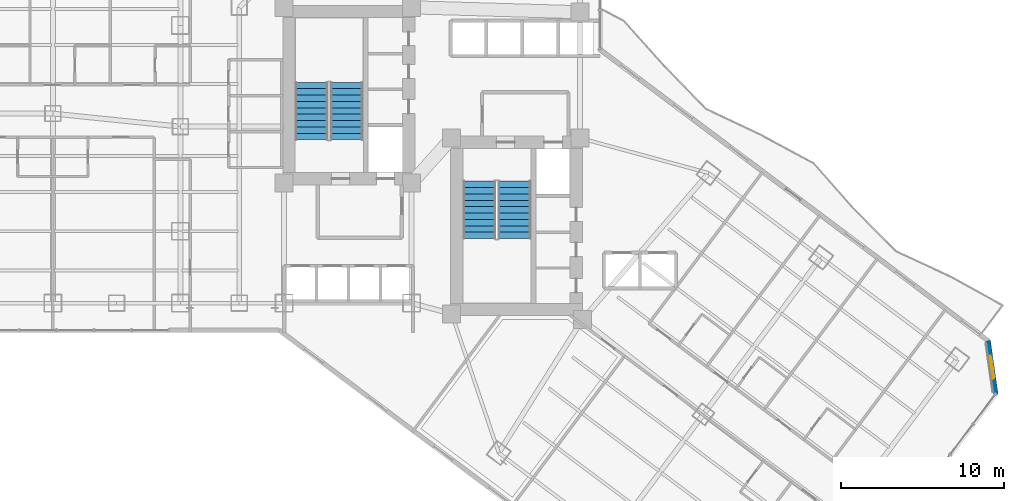
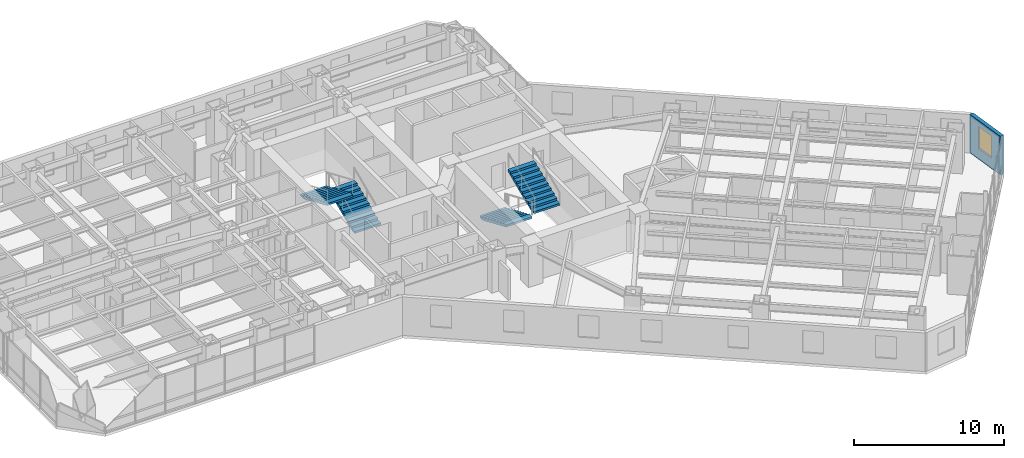
# One storey, part 28 of 38: 4 stair flights, 1 wall, 1 window, 1 opening, 2 elements without a shape of their own.
"""IFC4 building model written with IfcOpenShell, lengths in metres."""

from ifc_helpers import new_model, si_unit, direction, frame, frame_2d, origin, place, context, subcontext, project, spatial, polyline, rectangle, outline, extrude, material, layer, layer_set, type_object, element, fill, aggregate, save


model = new_model("IFC4")

# Units and contexts
model_context = context("Model", 3, precision=1e-05, world=origin(), true_north=direction((0.0, 1.0)))
body_context = subcontext(model_context, "Body", "Model", "MODEL_VIEW")
ifc_project = project(units=[si_unit("LENGTHUNIT", "METRE"), si_unit("AREAUNIT", "SQUARE_METRE"), si_unit("VOLUMEUNIT", "CUBIC_METRE"), si_unit("PLANEANGLEUNIT", "RADIAN"), si_unit("MASSUNIT", "GRAM", prefix="KILO")], contexts=[model_context])

# Site, building, storey
site_placement = place(None, origin())
site = spatial("IfcSite", under=ifc_project, at=site_placement, CompositionType="ELEMENT")
building_placement = place(site_placement, origin())
building = spatial("IfcBuilding", under=site, at=building_placement, Name="Hatsunagi Terrace Concourse", CompositionType="ELEMENT")
storey_placement = place(building_placement, frame((0.0, 0.0, 60.050048828125)))
storey = spatial("IfcBuildingStorey", under=building, at=storey_placement, Name="L15", CompositionType="ELEMENT", Elevation=60.050048828125)

# Wall, opening, window
ifc_material_1 = material(Name="Autoclaved Lightweight Concrete and Terracotta Cladding", Category="masonry")
ifc_layer = layer(ifc_material_1, 0.280029296875)
ifc_layer_set = layer_set([ifc_layer], Name="TerracottaSpandrelWall_280")
wall_type = type_object("IfcWallType", Name="TerracottaSpandrelWall_280", PredefinedType="STANDARD", material=ifc_layer_set)
wall_placement = place(storey_placement, frame((68.6298828125, 22.903076171875, 0.0), z_axis=(0.0, 0.0, 1.0), x_axis=(0.141285803956, -0.989968848803, 0.0)))
wall = element("IfcWall", 1, at=wall_placement, inside=storey, type_object=wall_type, Name="Exterior Spandrel Wall EW-L15-02", PredefinedType="STANDARD", context=body_context, shape_type="SweptSolid", body=[
    extrude(rectangle(XDim=3.278076171875, YDim=0.280029296875, at=frame_2d((1.63916015625, 0.0))), origin(), (0.0, 0.0, 1.0), 3.1298828125),
])
opening_placement = place(wall_placement, frame((0.93896484375, 0.0, 0.85009765625)))
opening = element("IfcOpeningElement", 2, at=opening_placement, cuts=wall, Name="Opening WIN-02", PredefinedType="OPENING", context=body_context, shape_type="SweptSolid", body=[
    extrude(rectangle(XDim=1.39990234375, YDim=1.800048828125, at=frame_2d((0.699951171875, 0.89990234375))), frame((0.0, 0.14990234375, 0.0), z_axis=(0.0, -1.0, 0.0), x_axis=(1.0, 0.0, 0.0)), (0.0, 0.0, 1.0), 0.300048828125),
])
ifc_material_2 = material(Name="Thermally Broken Aluminium and Low-E Triple Glazing", Category="aluminium")
window_type = type_object("IfcWindowType", Name="HotelOperableVentWindow_1400x1800", PartitioningType="DOUBLE_PANEL_VERTICAL", PredefinedType="WINDOW", material=ifc_material_2)
window_placement = place(opening_placement, origin())
window = element("IfcWindow", 3, at=window_placement, inside=storey, type_object=window_type, Name="Hotel Guestroom Window L15-02-1", OverallHeight=1.800048828125, OverallWidth=1.39990234375, PartitioningType="SINGLE_PANEL", PredefinedType="WINDOW", context=body_context, shape_type="SweptSolid", body=[
    extrude(rectangle(XDim=1.39990234375, YDim=1.800048828125, at=frame_2d((0.699951171875, 0.89990234375))), frame((0.0, 0.030029296875, 0.0), z_axis=(0.0, -1.0, 0.0), x_axis=(1.0, 0.0, 0.0)), (0.0, 0.0, 1.0), 0.06005859375),
])
fill(opening, window)

# Stair, stair flights
ifc_material_3 = material(Name="Concrete Fc42", Category="concrete")
stair_type = type_object("IfcStairType", Name="DoglegExitStair_Tower2000_20R_168", PredefinedType="HALF_TURN_STAIR", material=ifc_material_3)
stair_1_placement = place(storey_placement, origin())
stair_1 = element("IfcStair", 4, at=stair_1_placement, inside=storey, type_object=stair_type, Name="L15 Core A Protected Exit Stair ST-A", PredefinedType="HALF_TURN_STAIR")
ifc_material_4 = material(Name="Concrete Fc42", Category="concrete")
stair_flight_type = type_object("IfcStairFlightType", Name="DoglegStairFlight_Tower2000_20R_168", PredefinedType="STRAIGHT", material=ifc_material_4)
stair_flight_1_placement = place(storey_placement, frame((29.3798828125, 35.199951171875, 0.0), z_axis=(0.0, 0.0, 1.0), x_axis=(0.0, 1.0, 0.0)))
stair_flight_1 = element("IfcStairFlight", 5, at=stair_flight_1_placement, type_object=stair_flight_type, Name="ST-A flight 1", NumberOfRisers=10, NumberOfTreads=9, PredefinedType="STRAIGHT", RiserHeight=0.1675, TreadLength=0.39, context=body_context, shape_type="SweptSolid", body=[
    extrude(outline(polyline([(0.0, 0.0), (0.0, 0.16748046875), (0.389892578125, 0.16748046875), (0.389892578125, 0.3349609375), (0.780029296875, 0.3349609375), (0.780029296875, 0.50244140625), (1.169921875, 0.50244140625), (1.169921875, 0.669921875), (1.56005859375, 0.669921875), (1.56005859375, 0.83740234375), (1.949951171875, 0.83740234375), (1.949951171875, 1.0048828125), (2.340087890625, 1.0048828125), (2.340087890625, 1.172607421875), (2.72998046875, 1.172607421875), (2.72998046875, 1.340087890625), (3.1201171875, 1.340087890625), (3.1201171875, 1.507568359375), (3.510009765625, 1.507568359375), (3.510009765625, 1.675048828125), (3.510009765625, 1.34423828125), (0.3798828125, 0.0), (0.0, 0.0)])), frame((0.0, 1.0, 0.0), z_axis=(0.0, -1.0, 0.0), x_axis=(1.0, 0.0, 0.0)), (0.0, 0.0, 1.0), 2.0),
])
stair_flight_2_placement = place(storey_placement, frame((27.22998046875, 38.7099609375, 1.675048828125), z_axis=(0.0, 0.0, 1.0), x_axis=(0.0, -1.0, 0.0)))
stair_flight_2 = element("IfcStairFlight", 6, at=stair_flight_2_placement, type_object=stair_flight_type, Name="ST-A flight 2", NumberOfRisers=10, NumberOfTreads=9, PredefinedType="STRAIGHT", RiserHeight=0.1675, TreadLength=0.39, context=body_context, shape_type="SweptSolid", body=[
    extrude(outline(polyline([(0.0, 0.0), (0.0, 0.16748046875), (0.389892578125, 0.16748046875), (0.389892578125, 0.3349609375), (0.780029296875, 0.3349609375), (0.780029296875, 0.50244140625), (1.169921875, 0.50244140625), (1.169921875, 0.669921875), (1.56005859375, 0.669921875), (1.56005859375, 0.83740234375), (1.949951171875, 0.83740234375), (1.949951171875, 1.0048828125), (2.340087890625, 1.0048828125), (2.340087890625, 1.172607421875), (2.72998046875, 1.172607421875), (2.72998046875, 1.340087890625), (3.1201171875, 1.340087890625), (3.1201171875, 1.507568359375), (3.510009765625, 1.507568359375), (3.510009765625, 1.675048828125), (3.510009765625, 1.34423828125), (0.3798828125, 0.0), (0.0, 0.0)])), frame((0.0, 1.0, 0.0), z_axis=(0.0, -1.0, 0.0), x_axis=(1.0, 0.0, 0.0)), (0.0, 0.0, 1.0), 2.0),
])
aggregate(stair_1, [stair_flight_1, stair_flight_2])

stair_2_placement = place(storey_placement, origin())
stair_2 = element("IfcStair", 7, at=stair_2_placement, inside=storey, type_object=stair_type, Name="L15 Core B Protected Exit Stair ST-B", PredefinedType="HALF_TURN_STAIR")
stair_flight_3_placement = place(storey_placement, frame((37.5, 32.659912109375, 0.0), z_axis=(0.0, 0.0, 1.0), x_axis=(0.0, -1.0, 0.0)))
stair_flight_3 = element("IfcStairFlight", 8, at=stair_flight_3_placement, type_object=stair_flight_type, Name="ST-B flight 1", NumberOfRisers=10, NumberOfTreads=9, PredefinedType="STRAIGHT", RiserHeight=0.1675, TreadLength=0.39, context=body_context, shape_type="SweptSolid", body=[
    extrude(outline(polyline([(0.0, 0.0), (0.0, 0.16748046875), (0.389892578125, 0.16748046875), (0.389892578125, 0.3349609375), (0.780029296875, 0.3349609375), (0.780029296875, 0.50244140625), (1.169921875, 0.50244140625), (1.169921875, 0.669921875), (1.56005859375, 0.669921875), (1.56005859375, 0.83740234375), (1.949951171875, 0.83740234375), (1.949951171875, 1.0048828125), (2.340087890625, 1.0048828125), (2.340087890625, 1.172607421875), (2.72998046875, 1.172607421875), (2.72998046875, 1.340087890625), (3.1201171875, 1.340087890625), (3.1201171875, 1.507568359375), (3.510009765625, 1.507568359375), (3.510009765625, 1.675048828125), (3.510009765625, 1.34423828125), (0.3798828125, 0.0), (0.0, 0.0)])), frame((0.0, 1.0, 0.0), z_axis=(0.0, -1.0, 0.0), x_axis=(1.0, 0.0, 0.0)), (0.0, 0.0, 1.0), 2.0),
])
stair_flight_4_placement = place(storey_placement, frame((39.64990234375, 29.14990234375, 1.675048828125), z_axis=(0.0, 0.0, 1.0), x_axis=(0.0, 1.0, 0.0)))
stair_flight_4 = element("IfcStairFlight", 9, at=stair_flight_4_placement, type_object=stair_flight_type, Name="ST-B flight 2", NumberOfRisers=10, NumberOfTreads=9, PredefinedType="STRAIGHT", RiserHeight=0.1675, TreadLength=0.39, context=body_context, shape_type="SweptSolid", body=[
    extrude(outline(polyline([(0.0, 0.0), (0.0, 0.16748046875), (0.389892578125, 0.16748046875), (0.389892578125, 0.3349609375), (0.780029296875, 0.3349609375), (0.780029296875, 0.50244140625), (1.169921875, 0.50244140625), (1.169921875, 0.669921875), (1.56005859375, 0.669921875), (1.56005859375, 0.83740234375), (1.949951171875, 0.83740234375), (1.949951171875, 1.0048828125), (2.340087890625, 1.0048828125), (2.340087890625, 1.172607421875), (2.72998046875, 1.172607421875), (2.72998046875, 1.340087890625), (3.1201171875, 1.340087890625), (3.1201171875, 1.507568359375), (3.510009765625, 1.507568359375), (3.510009765625, 1.675048828125), (3.510009765625, 1.34423828125), (0.3798828125, 0.0), (0.0, 0.0)])), frame((0.0, 1.0, 0.0), z_axis=(0.0, -1.0, 0.0), x_axis=(1.0, 0.0, 0.0)), (0.0, 0.0, 1.0), 2.0),
])
aggregate(stair_2, [stair_flight_3, stair_flight_4])

save(model, "model.ifc")
